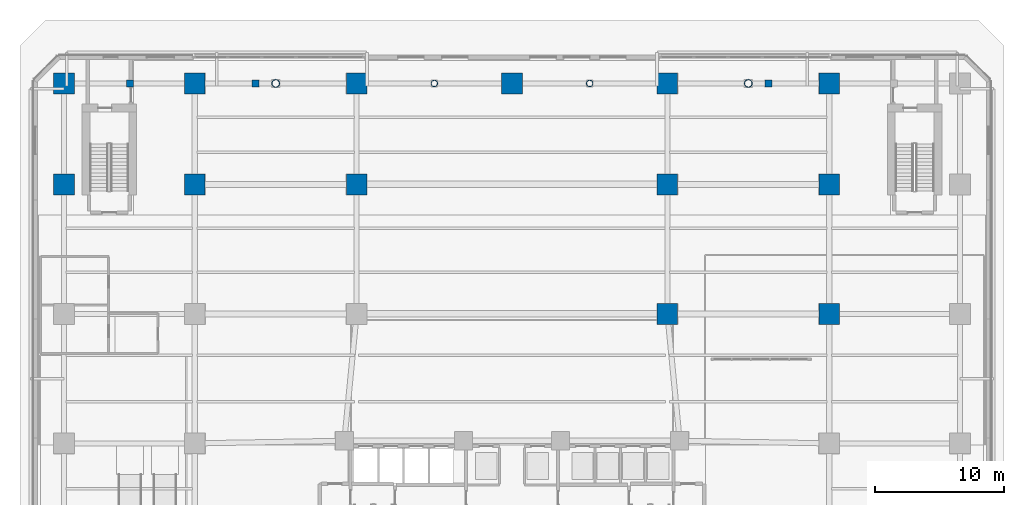
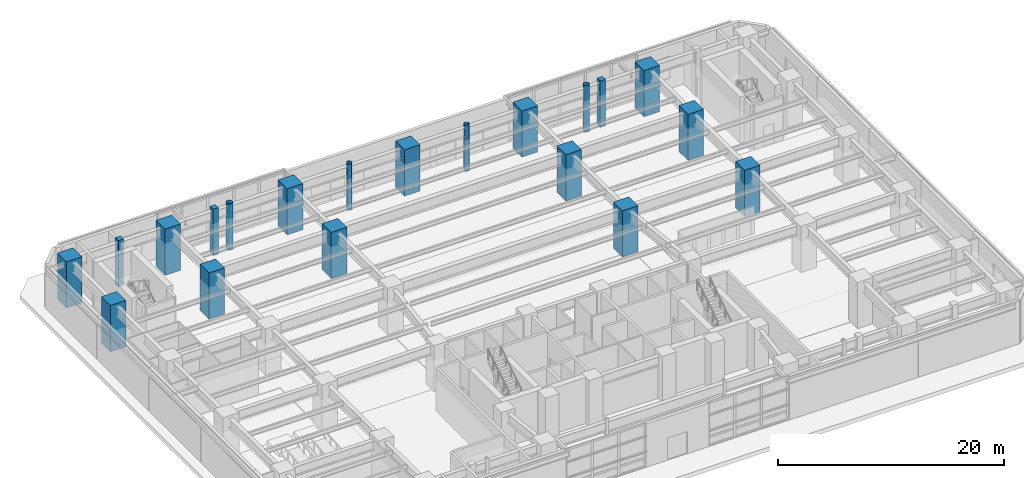
# One storey, part 4 of 26: 20 columns.
"""IFC4 building model written with IfcOpenShell, lengths in metres."""

from ifc_helpers import new_model, si_unit, direction, frame, origin, origin_2d, place, context, subcontext, project, spatial, rectangle, hollow_circle, extrude, material, material_profile, profile_set, type_object, element, save


model = new_model("IFC4")

# Units and contexts
model_context = context("Model", 3, precision=1e-05, world=origin(), true_north=direction((0.0, 1.0)))
body_context = subcontext(model_context, "Body", "Model", "MODEL_VIEW")
ifc_project = project(units=[si_unit("LENGTHUNIT", "METRE"), si_unit("AREAUNIT", "SQUARE_METRE"), si_unit("VOLUMEUNIT", "CUBIC_METRE"), si_unit("PLANEANGLEUNIT", "RADIAN"), si_unit("MASSUNIT", "GRAM", prefix="KILO")], contexts=[model_context])

# Site, building, storey
site_placement = place(None, origin())
site = spatial("IfcSite", under=ifc_project, at=site_placement, CompositionType="ELEMENT")
building_placement = place(site_placement, origin())
building = spatial("IfcBuilding", under=site, at=building_placement, Name="Quenlor Broadcast Tower", CompositionType="ELEMENT")
storey_placement = place(building_placement, origin())
storey = spatial("IfcBuildingStorey", under=building, at=storey_placement, Name="L00", CompositionType="ELEMENT", Elevation=0.0)

# Columns
ifc_material_1 = material(Name="Concrete C65/80", Category="concrete")
ifc_material_profile_1 = material_profile(ifc_material_1, rectangle(XDim=1.60009765625, YDim=1.60009765625, at=origin_2d()))
ifc_profile_set_1 = profile_set([ifc_material_profile_1], Name="Concrete C65/80 RC1600x1600")
column_type_1 = type_object("IfcColumnType", Name="Podium Mega Column Concrete C65/80 1600", PredefinedType="COLUMN", material=ifc_profile_set_1)
for number, where, z_axis, x_axis, name in (
    (1, (12.0, 5.0, 0.0), (0.0, 0.0, 1.0), (1.0, 0.0, 0.0), "L00 Podium Mega Column PM18"),
    (2, (24.5, 5.0, 0.0), (0.0, 0.0, 1.0), (1.0, 0.0, 0.0), "L00 Podium Mega Column PM19"),
    (3, (-34.60009765625, 15.0, 0.0), (0.0, 0.0, 1.0), (1.0, 0.0, 0.0), "L00 Podium Mega Column PM21"),
    (4, (-24.5, 15.0, 0.0), (0.0, 0.0, 1.0), (1.0, 0.0, 0.0), "L00 Podium Mega Column PM22"),
    (5, (-12.0, 15.0, 0.0), (0.0, 0.0, 1.0), (1.0, 0.0, 0.0), "L00 Podium Mega Column PM23"),
    (6, (12.0, 15.0, 0.0), (0.0, 0.0, 1.0), (1.0, 0.0, 0.0), "L00 Podium Mega Column PM24"),
    (7, (24.5, 15.0, 0.0), (0.0, 0.0, 1.0), (1.0, 0.0, 0.0), "L00 Podium Mega Column PM25"),
    (8, (-34.60009765625, 22.800048828125, 0.0), (0.0, 0.0, 1.0), (1.0, 0.0, 0.0), "L00 Podium Mega Column PM27"),
    (9, (-24.5, 22.800048828125, 0.0), (0.0, 0.0, 1.0), (1.0, 0.0, 0.0), "L00 Podium Mega Column PM28"),
    (10, (-12.0, 22.800048828125, 0.0), (0.0, 0.0, 1.0), (1.0, 0.0, 0.0), "L00 Podium Mega Column PM29"),
    (11, (0.0, 22.800048828125, 0.0), (0.0, 0.0, 1.0), (1.0, 0.0, 0.0), "L00 Podium Mega Column PM30"),
    (12, (12.0, 22.800048828125, 0.0), (0.0, 0.0, 1.0), (1.0, 0.0, 0.0), "L00 Podium Mega Column PM31"),
    (13, (24.5, 22.800048828125, 0.0), (0.0, 0.0, 1.0), (1.0, 0.0, 0.0), "L00 Podium Mega Column PM32"),
):
    element("IfcColumn", number, at=place(storey_placement, frame(where, z_axis=z_axis, x_axis=x_axis)), inside=storey, type_object=column_type_1, Name=name, PredefinedType="COLUMN", context=body_context, shape_type="SweptSolid", body=[
        extrude(rectangle(XDim=1.60009765625, YDim=1.60009765625, at=origin_2d()), origin(), (0.0, 0.0, 1.0), 5.0),
    ])
ifc_material_2 = material(Name="Concrete C50/60", Category="concrete")
ifc_material_profile_2 = material_profile(ifc_material_2, rectangle(XDim=0.550048828125, YDim=0.550048828125, at=origin_2d()))
ifc_profile_set_2 = profile_set([ifc_material_profile_2], Name="Concrete C50/60 PIL550x550")
column_type_2 = type_object("IfcColumnType", Name="Station Colonnade Pilaster Concrete C50/60 550", PredefinedType="PILASTER", material=ifc_profile_set_2)
for number, where, z_axis, x_axis, name in (
    (14, (-29.5, 22.800048828125, 0.0), (0.0, 0.0, 1.0), (1.0, 0.0, 0.0), "L00 Colonnade Pilaster N1"),
    (15, (-19.800048828125, 22.800048828125, 0.0), (0.0, 0.0, 1.0), (1.0, 0.0, 0.0), "L00 Colonnade Pilaster N2"),
    (16, (19.800048828125, 22.800048828125, 0.0), (0.0, 0.0, 1.0), (1.0, 0.0, 0.0), "L00 Colonnade Pilaster N3"),
):
    element("IfcColumn", number, at=place(storey_placement, frame(where, z_axis=z_axis, x_axis=x_axis)), inside=storey, type_object=column_type_2, Name=name, PredefinedType="PILASTER", context=body_context, shape_type="SweptSolid", body=[
        extrude(rectangle(XDim=0.550048828125, YDim=0.550048828125, at=origin_2d()), origin(), (0.0, 0.0, 1.0), 5.0),
    ])
ifc_material_3 = material(Name="Steel S355", Category="steel")
ifc_material_profile_3 = material_profile(ifc_material_3, hollow_circle(Radius=0.304931640625, WallThickness=0.02490234375, at=origin_2d()))
ifc_profile_set_3 = profile_set([ifc_material_profile_3], Name="Steel S355 CHS610x25")
column_type_3 = type_object("IfcColumnType", Name="Station Concourse Column Steel S355 CHS610", PredefinedType="COLUMN", material=ifc_profile_set_3)
for number, where, z_axis, x_axis, name in (
    (17, (-18.25, 22.800048828125, 0.0), (0.0, 0.0, 1.0), (1.0, 0.0, 0.0), "L00 Station Steel Column SCW1"),
    (18, (18.25, 22.800048828125, 0.0), (0.0, 0.0, 1.0), (1.0, 0.0, 0.0), "L00 Station Steel Column SCE1"),
):
    element("IfcColumn", number, at=place(storey_placement, frame(where, z_axis=z_axis, x_axis=x_axis)), inside=storey, type_object=column_type_3, Name=name, PredefinedType="COLUMN", context=body_context, shape_type="SweptSolid", body=[
        extrude(hollow_circle(Radius=0.304931640625, WallThickness=0.02490234375, at=origin_2d()), origin(), (0.0, 0.0, 1.0), 5.0),
    ])
ifc_material_4 = material(Name="Steel S355", Category="steel")
ifc_material_profile_4 = material_profile(ifc_material_4, hollow_circle(Radius=0.25390625, WallThickness=0.02197265625, at=origin_2d()))
ifc_profile_set_4 = profile_set([ifc_material_profile_4], Name="Steel S355 CHS508x22")
column_type_4 = type_object("IfcColumnType", Name="Station Portal Column Steel S355 CHS508", PredefinedType="COLUMN", material=ifc_profile_set_4)
for number, where, z_axis, x_axis, name in (
    (19, (-6.0, 22.800048828125, 0.0), (0.0, 0.0, 1.0), (1.0, 0.0, 0.0), "L00 Station Steel Column SCW2"),
    (20, (6.0, 22.800048828125, 0.0), (0.0, 0.0, 1.0), (1.0, 0.0, 0.0), "L00 Station Steel Column SCE2"),
):
    element("IfcColumn", number, at=place(storey_placement, frame(where, z_axis=z_axis, x_axis=x_axis)), inside=storey, type_object=column_type_4, Name=name, PredefinedType="COLUMN", context=body_context, shape_type="SweptSolid", body=[
        extrude(hollow_circle(Radius=0.25390625, WallThickness=0.02197265625, at=origin_2d()), origin(), (0.0, 0.0, 1.0), 5.0),
    ])

save(model, "model.ifc")
